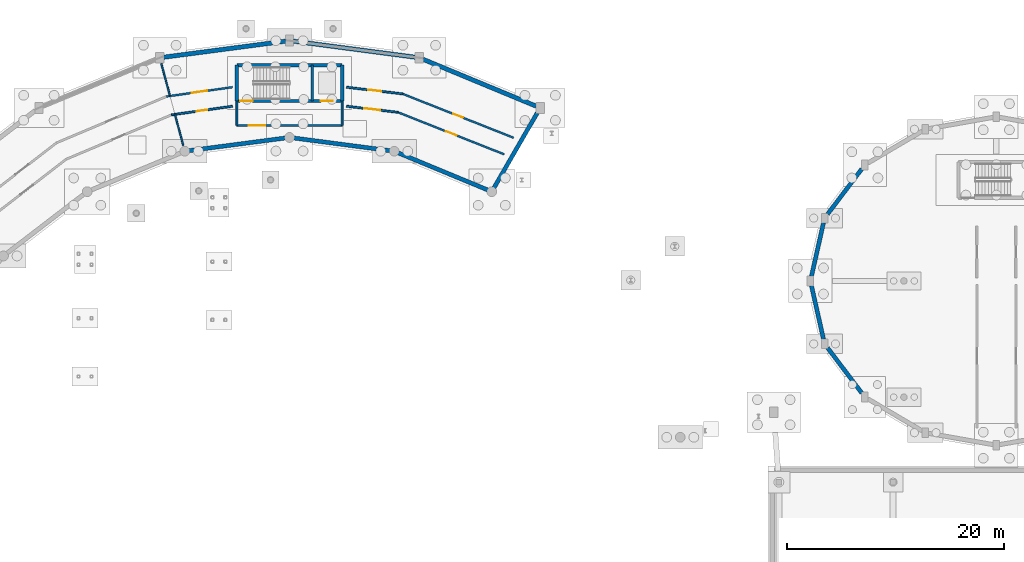
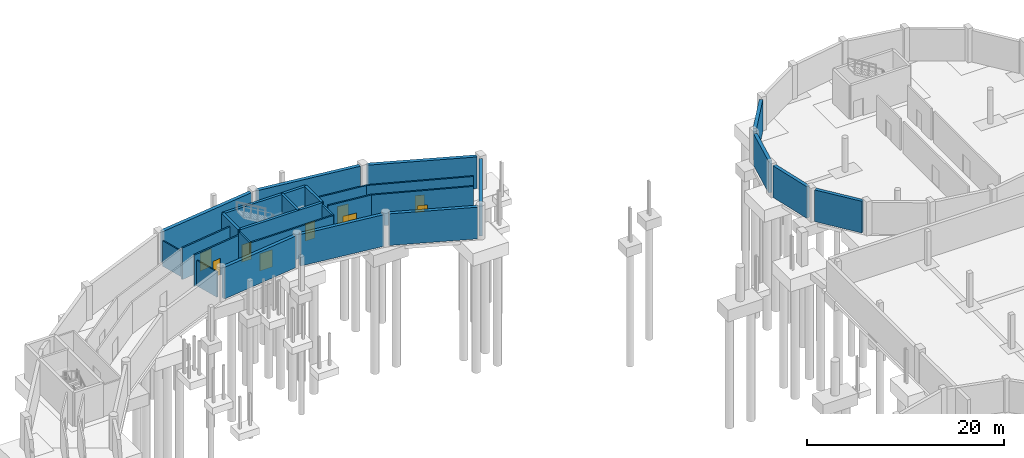
# One storey, part 34 of 43: 27 walls, 9 doors, 9 openings.
"""IFC4 building model written with IfcOpenShell, lengths in metres."""

from ifc_helpers import new_model, si_unit, direction, frame, frame_2d, origin, place, context, subcontext, project, spatial, rectangle, extrude, material, layer, layer_set, type_object, element, fill, save


model = new_model("IFC4")

# Units and contexts
model_context = context("Model", 3, precision=1e-05, world=origin(), true_north=direction((0.0, 1.0)))
body_context = subcontext(model_context, "Body", "Model", "MODEL_VIEW")
ifc_project = project(units=[si_unit("LENGTHUNIT", "METRE"), si_unit("AREAUNIT", "SQUARE_METRE"), si_unit("VOLUMEUNIT", "CUBIC_METRE"), si_unit("PLANEANGLEUNIT", "RADIAN"), si_unit("MASSUNIT", "GRAM", prefix="KILO")], contexts=[model_context])

# Site, building, storey
site_placement = place(None, origin())
site = spatial("IfcSite", under=ifc_project, at=site_placement, CompositionType="ELEMENT")
building_placement = place(site_placement, origin())
building = spatial("IfcBuilding", under=site, at=building_placement, Name="Vespera Passage Community Centre", CompositionType="ELEMENT")
storey_placement = place(building_placement, frame((0.0, 0.0, -4.199951171875)))
storey = spatial("IfcBuildingStorey", under=building, at=storey_placement, Name="B1", CompositionType="ELEMENT", Elevation=-4.199951171875)

# Wall, openings, doors
ifc_material_1 = material(Name="Concrete f'c 45 MPa", Category="concrete")
ifc_layer_1 = layer(ifc_material_1, 0.300048828125)
ifc_layer_set_1 = layer_set([ifc_layer_1], Name="Concrete f'c 45 MPa")
wall_type_1 = type_object("IfcWallType", Name="WT-CORE-300I", PredefinedType="SHEAR", material=ifc_layer_set_1)
wall_1_placement = place(storey_placement, frame((82.844970703125, 106.050048828125, 0.0), z_axis=(0.0, 0.0, 1.0), x_axis=(-1.0, 0.0, 0.0)))
wall_1 = element("IfcWall", 1, at=wall_1_placement, inside=storey, type_object=wall_type_1, Name="Core C4 B1 Shear Wall FRONT", PredefinedType="SHEAR", context=body_context, shape_type="SweptSolid", body=[
    extrude(rectangle(XDim=9.68994140625, YDim=0.300048828125, at=frame_2d((4.844970703125, 0.0))), origin(), (0.0, 0.0, 1.0), 4.199951171875),
])
opening_1_placement = place(wall_1_placement, frame((8.2451171875, 0.0, 0.0)))
opening_1 = element("IfcOpeningElement", 2, at=opening_1_placement, cuts=wall_1, Name="Opening DT-STAIR-90", PredefinedType="OPENING", context=body_context, shape_type="SweptSolid", body=[
    extrude(rectangle(XDim=1.14990234375, YDim=2.14990234375, at=frame_2d((0.574951171875, 1.074951171875))), frame((0.0, 0.159912109375, 0.0), z_axis=(0.0, -1.0, 0.0), x_axis=(1.0, 0.0, 0.0)), (0.0, 0.0, 1.0), 0.320068359375),
])
opening_2_placement = place(wall_1_placement, frame((0.85009765625, 0.0, 0.0)))
opening_2 = element("IfcOpeningElement", 3, at=opening_2_placement, cuts=wall_1, Name="Opening DT-LIFT-110", PredefinedType="OPENING", context=body_context, shape_type="SweptSolid", body=[
    extrude(rectangle(XDim=1.10009765625, YDim=2.14990234375, at=frame_2d((0.550048828125, 1.074951171875))), frame((0.0, 0.159912109375, 0.0), z_axis=(0.0, -1.0, 0.0), x_axis=(1.0, 0.0, 0.0)), (0.0, 0.0, 1.0), 0.320068359375),
])
ifc_material_2 = material(Name="Painted hollow-metal acoustic door", Category="steel")
door_type_1 = type_object("IfcDoorType", Name="DT-LIFT-110", OperationType="NOTDEFINED", PredefinedType="DOOR", material=ifc_material_2)
door_1_placement = place(opening_2_placement, origin())
door_1 = element("IfcDoor", 4, at=door_1_placement, inside=storey, type_object=door_type_1, Name="Elevator EL-02 B1 Landing Door LD-016", OperationType="SLIDING_TO_LEFT", OverallHeight=2.14990234375, OverallWidth=1.10009765625, PredefinedType="DOOR", context=body_context, shape_type="SweptSolid", body=[
    extrude(rectangle(XDim=1.10009765625, YDim=2.14990234375, at=frame_2d((0.550048828125, 1.074951171875))), frame((0.0, 0.02490234375, 0.0), z_axis=(0.0, -1.0, 0.0), x_axis=(1.0, 0.0, 0.0)), (0.0, 0.0, 1.0), 0.050048828125),
])
fill(opening_2, door_1)
ifc_material_3 = material(Name="Painted hollow-metal acoustic door", Category="steel")
door_type_2 = type_object("IfcDoorType", Name="DT-STAIR-90", OperationType="NOTDEFINED", PredefinedType="DOOR", material=ifc_material_3)
door_2_placement = place(opening_1_placement, origin())
door_2 = element("IfcDoor", 5, at=door_2_placement, inside=storey, type_object=door_type_2, Name="Core C4 B1 Exit Stair Door D-086", OperationType="SINGLE_SWING_RIGHT", OverallHeight=2.14990234375, OverallWidth=1.14990234375, PredefinedType="DOOR", context=body_context, shape_type="SweptSolid", body=[
    extrude(rectangle(XDim=1.14990234375, YDim=2.14990234375, at=frame_2d((0.574951171875, 1.074951171875))), frame((0.0, 0.02490234375, 0.0), z_axis=(0.0, -1.0, 0.0), x_axis=(1.0, 0.0, 0.0)), (0.0, 0.0, 1.0), 0.050048828125),
])
fill(opening_1, door_2)

# Walls
wall_2_placement = place(storey_placement, frame((73.155029296875, 106.050048828125, 0.0), z_axis=(0.0, 0.0, 1.0), x_axis=(0.0, 1.0, 0.0)))
element("IfcWall", 6, at=wall_2_placement, inside=storey, type_object=wall_type_1, Name="Core C4 B1 Shear Wall LEFT", PredefinedType="SHEAR", context=body_context, shape_type="SweptSolid", body=[
    extrude(rectangle(XDim=3.300048828125, YDim=0.300048828125, at=frame_2d((1.64990234375, 0.0))), origin(), (0.0, 0.0, 1.0), 4.199951171875),
])
wall_3_placement = place(storey_placement, frame((73.155029296875, 109.35009765625, 0.0), z_axis=(0.0, 0.0, 1.0), x_axis=(1.0, 0.0, 0.0)))
element("IfcWall", 7, at=wall_3_placement, inside=storey, type_object=wall_type_1, Name="Core C4 B1 Shear Wall BACK", PredefinedType="SHEAR", context=body_context, shape_type="SweptSolid", body=[
    extrude(rectangle(XDim=9.68994140625, YDim=0.300048828125, at=frame_2d((4.844970703125, 0.0))), origin(), (0.0, 0.0, 1.0), 4.199951171875),
])
wall_4_placement = place(storey_placement, frame((82.844970703125, 109.35009765625, 0.0), z_axis=(0.0, 0.0, 1.0), x_axis=(0.0, -1.0, 0.0)))
element("IfcWall", 8, at=wall_4_placement, inside=storey, type_object=wall_type_1, Name="Core C4 B1 Shear Wall RIGHT", PredefinedType="SHEAR", context=body_context, shape_type="SweptSolid", body=[
    extrude(rectangle(XDim=3.300048828125, YDim=0.300048828125, at=frame_2d((1.64990234375, 0.0))), origin(), (0.0, 0.0, 1.0), 4.199951171875),
])

# Wall, opening, door
ifc_material_4 = material(Name="Gypsum board acoustic stud partition")
ifc_layer_2 = layer(ifc_material_4, 0.179931640625)
ifc_layer_set_2 = layer_set([ifc_layer_2], Name="Gypsum board acoustic stud partition")
wall_type_2 = type_object("IfcWallType", Name="WT-CORR-180I", PredefinedType="PARTITIONING", material=ifc_layer_set_2)
wall_5_placement = place(storey_placement, frame((73.155029296875, 103.800048828125, 0.0), z_axis=(0.0, 0.0, 1.0), x_axis=(1.0, 0.0, 0.0)))
wall_5 = element("IfcWall", 9, at=wall_5_placement, inside=storey, type_object=wall_type_2, Name="Core C4 B1 Lift Lobby Front Wall", PredefinedType="PARTITIONING", context=body_context, shape_type="SweptSolid", body=[
    extrude(rectangle(XDim=9.68994140625, YDim=0.179931640625, at=frame_2d((4.844970703125, 0.0))), origin(), (0.0, 0.0, 1.0), 3.9150390625),
])
opening_3_placement = place(wall_5_placement, frame((1.10009765625, 0.0, 0.0)))
opening_3 = element("IfcOpeningElement", 10, at=opening_3_placement, cuts=wall_5, Name="Opening DT-CORR-150", PredefinedType="OPENING", context=body_context, shape_type="SweptSolid", body=[
    extrude(rectangle(XDim=1.5, YDim=2.14990234375, at=frame_2d((0.75, 1.074951171875))), frame((0.0, 0.099853515625, 0.0), z_axis=(0.0, -1.0, 0.0), x_axis=(1.0, 0.0, 0.0)), (0.0, 0.0, 1.0), 0.199951171875),
])
ifc_material_5 = material(Name="Painted hollow-metal acoustic door", Category="steel")
door_type_3 = type_object("IfcDoorType", Name="DT-CORR-150", OperationType="NOTDEFINED", PredefinedType="DOOR", material=ifc_material_5)
door_3_placement = place(opening_3_placement, origin())
door_3 = element("IfcDoor", 11, at=door_3_placement, inside=storey, type_object=door_type_3, Name="Core C4 B1 Lift Lobby Door D-087", OperationType="SINGLE_SWING_LEFT", OverallHeight=2.14990234375, OverallWidth=1.5, PredefinedType="DOOR", context=body_context, shape_type="SweptSolid", body=[
    extrude(rectangle(XDim=1.5, YDim=2.14990234375, at=frame_2d((0.75, 1.074951171875))), frame((0.0, 0.02490234375, 0.0), z_axis=(0.0, -1.0, 0.0), x_axis=(1.0, 0.0, 0.0)), (0.0, 0.0, 1.0), 0.050048828125),
])
fill(opening_3, door_3)

# Walls
for number, where, z_axis, x_axis, name in (
    (12, (73.155029296875, 106.050048828125, 0.0), (0.0, 0.0, 1.0), (0.0, -1.0, 0.0), "Core C4 B1 Lift Lobby Side Wall L"),
    (13, (82.844970703125, 106.050048828125, 0.0), (0.0, 0.0, 1.0), (0.0, -1.0, 0.0), "Core C4 B1 Lift Lobby Side Wall R"),
):
    element("IfcWall", number, at=place(storey_placement, frame(where, z_axis=z_axis, x_axis=x_axis)), inside=storey, type_object=wall_type_2, Name=name, PredefinedType="PARTITIONING", context=body_context, shape_type="SweptSolid", body=[
        extrude(rectangle(XDim=2.25, YDim=0.179931640625, at=frame_2d((1.125, 0.0))), origin(), (0.0, 0.0, 1.0), 3.9150390625),
    ])

# Wall, opening, door
wall_6_placement = place(storey_placement, frame((98.6044921875, 102.67138671875, 0.0), z_axis=(0.0, 0.0, 1.0), x_axis=(-0.92984059227, 0.367962597238, 0.0)))
wall_6 = element("IfcWall", 14, at=wall_6_placement, inside=storey, type_object=wall_type_2, Name="B1 Interior Partition V4-B1-CO01.1", PredefinedType="PARTITIONING", context=body_context, shape_type="SweptSolid", body=[
    extrude(rectangle(XDim=10.9609375, YDim=0.179931640625, at=frame_2d((5.48046875, 0.0))), origin(), (0.0, 0.0, 1.0), 3.9150390625),
])
opening_4_placement = place(wall_6_placement, frame((5.005615234375, 0.0, 0.0)))
opening_4 = element("IfcOpeningElement", 15, at=opening_4_placement, cuts=wall_6, Name="Opening DT-CORR-95", PredefinedType="OPENING", context=body_context, shape_type="SweptSolid", body=[
    extrude(rectangle(XDim=0.949951171875, YDim=2.10009765625, at=frame_2d((0.47509765625, 1.050048828125))), frame((0.0, 0.099853515625, 0.0), z_axis=(0.0, -1.0, 0.0), x_axis=(1.0, 0.0, 0.0)), (0.0, 0.0, 1.0), 0.199951171875),
])
ifc_material_6 = material(Name="Painted hollow-metal acoustic door", Category="steel")
door_type_4 = type_object("IfcDoorType", Name="DT-CORR-95", OperationType="NOTDEFINED", PredefinedType="DOOR", material=ifc_material_6)
door_4_placement = place(opening_4_placement, origin())
door_4 = element("IfcDoor", 16, at=door_4_placement, inside=storey, type_object=door_type_4, Name="B1 Interior Door D-119", OperationType="SINGLE_SWING_LEFT", OverallHeight=2.10009765625, OverallWidth=0.949951171875, PredefinedType="DOOR", context=body_context, shape_type="SweptSolid", body=[
    extrude(rectangle(XDim=0.949951171875, YDim=2.10009765625, at=frame_2d((0.47509765625, 1.050048828125))), frame((0.0, 0.02490234375, 0.0), z_axis=(0.0, -1.0, 0.0), x_axis=(1.0, 0.0, 0.0)), (0.0, 0.0, 1.0), 0.050048828125),
])
fill(opening_4, door_4)

wall_7_placement = place(storey_placement, frame((97.756103515625, 101.140869140625, 0.0), z_axis=(0.0, 0.0, 1.0), x_axis=(-0.92984171937, 0.367959749046, 0.0)))
wall_7 = element("IfcWall", 17, at=wall_7_placement, inside=storey, type_object=wall_type_2, Name="B1 Interior Partition V4-B1-CI01.1", PredefinedType="PARTITIONING", context=body_context, shape_type="SweptSolid", body=[
    extrude(rectangle(XDim=10.509765625, YDim=0.179931640625, at=frame_2d((5.2548828125, 0.0))), origin(), (0.0, 0.0, 1.0), 3.9150390625),
])
opening_5_placement = place(wall_7_placement, frame((4.72998046875, 0.0, 0.0)))
opening_5 = element("IfcOpeningElement", 18, at=opening_5_placement, cuts=wall_7, Name="Opening DT-CORR-105", PredefinedType="OPENING", context=body_context, shape_type="SweptSolid", body=[
    extrude(rectangle(XDim=1.050048828125, YDim=2.10009765625, at=frame_2d((0.52490234375, 1.050048828125))), frame((0.0, 0.099853515625, 0.0), z_axis=(0.0, -1.0, 0.0), x_axis=(1.0, 0.0, 0.0)), (0.0, 0.0, 1.0), 0.199951171875),
])
ifc_material_7 = material(Name="Painted hollow-metal acoustic door", Category="steel")
door_type_5 = type_object("IfcDoorType", Name="DT-CORR-105", OperationType="NOTDEFINED", PredefinedType="DOOR", material=ifc_material_7)
door_5_placement = place(opening_5_placement, origin())
door_5 = element("IfcDoor", 19, at=door_5_placement, inside=storey, type_object=door_type_5, Name="B1 Interior Door D-120", OperationType="SINGLE_SWING_RIGHT", OverallHeight=2.10009765625, OverallWidth=1.050048828125, PredefinedType="DOOR", context=body_context, shape_type="SweptSolid", body=[
    extrude(rectangle(XDim=1.050048828125, YDim=2.10009765625, at=frame_2d((0.52490234375, 1.050048828125))), frame((0.0, 0.02490234375, 0.0), z_axis=(0.0, -1.0, 0.0), x_axis=(1.0, 0.0, 0.0)), (0.0, 0.0, 1.0), 0.050048828125),
])
fill(opening_5, door_5)

wall_8_placement = place(storey_placement, frame((88.41259765625, 106.70458984375, 0.0), z_axis=(0.0, 0.0, 1.0), x_axis=(-0.993019970185, 0.117946338706, 0.0)))
wall_8 = element("IfcWall", 20, at=wall_8_placement, inside=storey, type_object=wall_type_2, Name="B1 Interior Partition V4-B1-CO02.1", PredefinedType="PARTITIONING", context=body_context, shape_type="SweptSolid", body=[
    extrude(rectangle(XDim=5.203857421875, YDim=0.179931640625, at=frame_2d((2.60205078125, 0.0))), origin(), (0.0, 0.0, 1.0), 3.9150390625),
])
opening_6_placement = place(wall_8_placement, frame((2.001953125, 0.0, 0.0)))
opening_6 = element("IfcOpeningElement", 21, at=opening_6_placement, cuts=wall_8, Name="Opening DT-CORR-120", PredefinedType="OPENING", context=body_context, shape_type="SweptSolid", body=[
    extrude(rectangle(XDim=1.199951171875, YDim=2.14990234375, at=frame_2d((0.60009765625, 1.074951171875))), frame((0.0, 0.099853515625, 0.0), z_axis=(0.0, -1.0, 0.0), x_axis=(1.0, 0.0, 0.0)), (0.0, 0.0, 1.0), 0.199951171875),
])
ifc_material_8 = material(Name="Painted hollow-metal acoustic door", Category="steel")
door_type_6 = type_object("IfcDoorType", Name="DT-CORR-120", OperationType="NOTDEFINED", PredefinedType="DOOR", material=ifc_material_8)
door_6_placement = place(opening_6_placement, origin())
door_6 = element("IfcDoor", 22, at=door_6_placement, inside=storey, type_object=door_type_6, Name="B1 Interior Door D-121", OperationType="SINGLE_SWING_LEFT", OverallHeight=2.14990234375, OverallWidth=1.199951171875, PredefinedType="DOOR", context=body_context, shape_type="SweptSolid", body=[
    extrude(rectangle(XDim=1.199951171875, YDim=2.14990234375, at=frame_2d((0.60009765625, 1.074951171875))), frame((0.0, 0.02490234375, 0.0), z_axis=(0.0, -1.0, 0.0), x_axis=(1.0, 0.0, 0.0)), (0.0, 0.0, 1.0), 0.050048828125),
])
fill(opening_6, door_6)

wall_9_placement = place(storey_placement, frame((87.983642578125, 105.008056640625, 0.0), z_axis=(0.0, 0.0, 1.0), x_axis=(-0.993021837472, 0.117930616486, 0.0)))
wall_9 = element("IfcWall", 23, at=wall_9_placement, inside=storey, type_object=wall_type_2, Name="B1 Interior Partition V4-B1-CI02.1", PredefinedType="PARTITIONING", context=body_context, shape_type="SweptSolid", body=[
    extrude(rectangle(XDim=4.771728515625, YDim=0.179931640625, at=frame_2d((2.3857421875, 0.0))), origin(), (0.0, 0.0, 1.0), 3.9150390625),
])
opening_7_placement = place(wall_9_placement, frame((1.635986328125, 0.0, 0.0)))
opening_7 = element("IfcOpeningElement", 24, at=opening_7_placement, cuts=wall_9, Name="Opening DT-CORR-150", PredefinedType="OPENING", context=body_context, shape_type="SweptSolid", body=[
    extrude(rectangle(XDim=1.5, YDim=2.14990234375, at=frame_2d((0.75, 1.074951171875))), frame((0.0, 0.099853515625, 0.0), z_axis=(0.0, -1.0, 0.0), x_axis=(1.0, 0.0, 0.0)), (0.0, 0.0, 1.0), 0.199951171875),
])
door_7_placement = place(opening_7_placement, origin())
door_7 = element("IfcDoor", 25, at=door_7_placement, inside=storey, type_object=door_type_3, Name="B1 Interior Door D-122", OperationType="SINGLE_SWING_RIGHT", OverallHeight=2.14990234375, OverallWidth=1.5, PredefinedType="DOOR", context=body_context, shape_type="SweptSolid", body=[
    extrude(rectangle(XDim=1.5, YDim=2.14990234375, at=frame_2d((0.75, 1.074951171875))), frame((0.0, 0.02490234375, 0.0), z_axis=(0.0, -1.0, 0.0), x_axis=(1.0, 0.0, 0.0)), (0.0, 0.0, 1.0), 0.050048828125),
])
fill(opening_7, door_7)

wall_10_placement = place(storey_placement, frame((72.7548828125, 107.32275390625, 0.0), z_axis=(0.0, 0.0, 1.0), x_axis=(-0.990158330555, -0.139951707499, 0.0)))
wall_10 = element("IfcWall", 26, at=wall_10_placement, inside=storey, type_object=wall_type_2, Name="B1 Interior Partition V4-B1-CO03.1", PredefinedType="PARTITIONING", context=body_context, shape_type="SweptSolid", body=[
    extrude(rectangle(XDim=6.140625, YDim=0.179931640625, at=frame_2d((3.0703125, 0.0))), origin(), (0.0, 0.0, 1.0), 3.9150390625),
])
opening_8_placement = place(wall_10_placement, frame((2.34521484375, 0.0, 0.0)))
opening_8 = element("IfcOpeningElement", 27, at=opening_8_placement, cuts=wall_10, Name="Opening DT-PLANT-145", PredefinedType="OPENING", context=body_context, shape_type="SweptSolid", body=[
    extrude(rectangle(XDim=1.449951171875, YDim=2.199951171875, at=frame_2d((0.72509765625, 1.10009765625))), frame((0.0, 0.099853515625, 0.0), z_axis=(0.0, -1.0, 0.0), x_axis=(1.0, 0.0, 0.0)), (0.0, 0.0, 1.0), 0.199951171875),
])
ifc_material_9 = material(Name="Painted hollow-metal acoustic door", Category="steel")
door_type_7 = type_object("IfcDoorType", Name="DT-PLANT-145", OperationType="NOTDEFINED", PredefinedType="DOOR", material=ifc_material_9)
door_8_placement = place(opening_8_placement, origin())
door_8 = element("IfcDoor", 28, at=door_8_placement, inside=storey, type_object=door_type_7, Name="B1 Interior Door D-123", OperationType="SINGLE_SWING_LEFT", OverallHeight=2.199951171875, OverallWidth=1.449951171875, PredefinedType="DOOR", context=body_context, shape_type="SweptSolid", body=[
    extrude(rectangle(XDim=1.449951171875, YDim=2.199951171875, at=frame_2d((0.72509765625, 1.10009765625))), frame((0.0, 0.02490234375, 0.0), z_axis=(0.0, -1.0, 0.0), x_axis=(1.0, 0.0, 0.0)), (0.0, 0.0, 1.0), 0.050048828125),
])
fill(opening_8, door_8)

wall_11_placement = place(storey_placement, frame((72.7548828125, 105.570068359375, 0.0), z_axis=(0.0, 0.0, 1.0), x_axis=(-0.990158541411, -0.13995021569, 0.0)))
wall_11 = element("IfcWall", 29, at=wall_11_placement, inside=storey, type_object=wall_type_2, Name="B1 Interior Partition V4-B1-CI03.1", PredefinedType="PARTITIONING", context=body_context, shape_type="SweptSolid", body=[
    extrude(rectangle(XDim=5.669677734375, YDim=0.179931640625, at=frame_2d((2.8349609375, 0.0))), origin(), (0.0, 0.0, 1.0), 3.9150390625),
])
opening_9_placement = place(wall_11_placement, frame((2.35986328125, 0.0, 0.0)))
opening_9 = element("IfcOpeningElement", 30, at=opening_9_placement, cuts=wall_11, Name="Opening DT-CORR-95", PredefinedType="OPENING", context=body_context, shape_type="SweptSolid", body=[
    extrude(rectangle(XDim=0.949951171875, YDim=2.10009765625, at=frame_2d((0.47509765625, 1.050048828125))), frame((0.0, 0.099853515625, 0.0), z_axis=(0.0, -1.0, 0.0), x_axis=(1.0, 0.0, 0.0)), (0.0, 0.0, 1.0), 0.199951171875),
])
door_9_placement = place(opening_9_placement, origin())
door_9 = element("IfcDoor", 31, at=door_9_placement, inside=storey, type_object=door_type_4, Name="B1 Interior Door D-124", OperationType="SINGLE_SWING_RIGHT", OverallHeight=2.10009765625, OverallWidth=0.949951171875, PredefinedType="DOOR", context=body_context, shape_type="SweptSolid", body=[
    extrude(rectangle(XDim=0.949951171875, YDim=2.10009765625, at=frame_2d((0.47509765625, 1.050048828125))), frame((0.0, 0.02490234375, 0.0), z_axis=(0.0, -1.0, 0.0), x_axis=(1.0, 0.0, 0.0)), (0.0, 0.0, 1.0), 0.050048828125),
])
fill(opening_9, door_9)

# Walls
ifc_material_10 = material(Name="Concrete f'c 45 MPa", Category="concrete")
ifc_layer_3 = layer(ifc_material_10, 0.239990234375)
ifc_layer_set_3 = layer_set([ifc_layer_3], Name="Concrete f'c 45 MPa")
wall_type_3 = type_object("IfcWallType", Name="WT-DIV-240I", PredefinedType="SHEAR", material=ifc_layer_set_3)
wall_12_placement = place(storey_placement, frame((80.074951171875, 106.050048828125, 0.0), z_axis=(0.0, 0.0, 1.0), x_axis=(0.0, 1.0, 0.0)))
element("IfcWall", 32, at=wall_12_placement, inside=storey, type_object=wall_type_3, Name="Core C4 B1 Hoistway Divider Wall", PredefinedType="SHEAR", context=body_context, shape_type="SweptSolid", body=[
    extrude(rectangle(XDim=3.300048828125, YDim=0.239990234375, at=frame_2d((1.64990234375, 0.0))), origin(), (0.0, 0.0, 1.0), 4.199951171875),
])
ifc_material_11 = material(Name="Concrete f'c 45 MPa", Category="concrete")
ifc_layer_4 = layer(ifc_material_11, 0.3798828125)
ifc_layer_set_4 = layer_set([ifc_layer_4], Name="Concrete f'c 45 MPa")
wall_type_4 = type_object("IfcWallType", Name="WT-RET-380E", PredefinedType="SHEAR", material=ifc_layer_set_4)
wall_13_placement = place(storey_placement, frame((96.322998046875, 97.830810546875, 0.0), z_axis=(0.0, 0.0, 1.0), x_axis=(-0.923880324771, 0.382681519675, 0.0)))
element("IfcWall", 33, at=wall_13_placement, inside=storey, type_object=wall_type_4, Name="V4 B1 Inner Retaining Wall 4", PredefinedType="SHEAR", context=body_context, shape_type="SweptSolid", body=[
    extrude(rectangle(XDim=9.111572265625, YDim=0.3798828125, at=frame_2d((4.5556640625, 0.0))), origin(), (0.0, 0.0, 1.0), 3.919921875),
])
for number, where, z_axis, x_axis, name in (
    (34, (87.352783203125, 101.468505859375, 0.0), (0.0, 0.0, 1.0), (-0.991441766434, 0.130549698469, 0.0), "V4 B1 Inner Retaining Wall 5"),
    (35, (77.724853515625, 102.663818359375, 0.0), (0.0, 0.0, 1.0), (-0.991441766434, -0.130549698469, 0.0), "V4 B1 Inner Retaining Wall 6"),
):
    element("IfcWall", number, at=place(storey_placement, frame(where, z_axis=z_axis, x_axis=x_axis)), inside=storey, type_object=wall_type_4, Name=name, PredefinedType="SHEAR", context=body_context, shape_type="SweptSolid", body=[
        extrude(rectangle(XDim=9.156005859375, YDim=0.3798828125, at=frame_2d((4.578125, 0.0))), origin(), (0.0, 0.0, 1.0), 3.919921875),
    ])
wall_14_placement = place(storey_placement, frame((100.773681640625, 104.945556640625, 0.0), z_axis=(0.0, 0.0, 1.0), x_axis=(-0.499969958057, -0.866042747813, 0.0)))
element("IfcWall", 36, at=wall_14_placement, inside=storey, type_object=wall_type_4, Name="V4 B1 Radial End Facade Wall START", PredefinedType="SHEAR", context=body_context, shape_type="SweptSolid", body=[
    extrude(rectangle(XDim=8.0263671875, YDim=0.3798828125, at=frame_2d((4.01318359375, 0.0))), origin(), (0.0, 0.0, 1.0), 3.919921875),
])
wall_15_placement = place(storey_placement, frame((127.486572265625, 95.655029296875, 0.0), z_axis=(0.0, 0.0, 1.0), x_axis=(0.603398282319, 0.797439974477, 0.0)))
element("IfcWall", 37, at=wall_15_placement, inside=storey, type_object=wall_type_4, Name="V2 B1 Retaining Wall 7", PredefinedType="SHEAR", context=body_context, shape_type="SweptSolid", body=[
    extrude(rectangle(XDim=5.19873046875, YDim=0.3798828125, at=frame_2d((2.599365234375, 0.0))), origin(), (0.0, 0.0, 1.0), 3.919921875),
])
for number, where, z_axis, x_axis, name in (
    (38, (125.995849609375, 89.925537109375, 0.0), (0.0, 0.0, 1.0), (0.219744533343, 0.97555745093, 0.0), "V2 B1 Retaining Wall 8"),
    (39, (127.105712890625, 84.147216796875, 0.0), (0.0, 0.0, 1.0), (-0.219744533343, 0.97555745093, 0.0), "V2 B1 Retaining Wall 9"),
):
    element("IfcWall", number, at=place(storey_placement, frame(where, z_axis=z_axis, x_axis=x_axis)), inside=storey, type_object=wall_type_4, Name=name, PredefinedType="SHEAR", context=body_context, shape_type="SweptSolid", body=[
        extrude(rectangle(XDim=5.05078125, YDim=0.3798828125, at=frame_2d((2.525390625, 0.0))), origin(), (0.0, 0.0, 1.0), 3.919921875),
    ])
wall_16_placement = place(storey_placement, frame((130.62353515625, 79.19921875, 0.0), z_axis=(0.0, 0.0, 1.0), x_axis=(-0.603398282319, 0.797439974477, 0.0)))
element("IfcWall", 40, at=wall_16_placement, inside=storey, type_object=wall_type_4, Name="V2 B1 Retaining Wall 10", PredefinedType="SHEAR", context=body_context, shape_type="SweptSolid", body=[
    extrude(rectangle(XDim=5.19873046875, YDim=0.3798828125, at=frame_2d((2.599365234375, 0.0))), origin(), (0.0, 0.0, 1.0), 3.919921875),
])
ifc_material_12 = material(Name="Concrete f'c 45 MPa", Category="concrete")
ifc_layer_5 = layer(ifc_material_12, 0.39990234375)
ifc_layer_set_5 = layer_set([ifc_layer_5], Name="Concrete f'c 45 MPa")
wall_type_5 = type_object("IfcWallType", Name="WT-RET-400E", PredefinedType="SHEAR", material=ifc_layer_set_5)
wall_17_placement = place(storey_placement, frame((90.283447265625, 109.88330078125, 0.0), z_axis=(0.0, 0.0, 1.0), x_axis=(0.923883530636, -0.382673779896, 0.0)))
element("IfcWall", 41, at=wall_17_placement, inside=storey, type_object=wall_type_5, Name="V4 B1 Outer Retaining Wall 4", PredefinedType="SHEAR", context=body_context, shape_type="SweptSolid", body=[
    extrude(rectangle(XDim=11.2724609375, YDim=0.39990234375, at=frame_2d((5.63623046875, 0.0))), origin(), (0.0, 0.0, 1.0), 3.919921875),
])
for number, where, z_axis, x_axis, name in (
    (42, (78.35009765625, 111.553955078125, 0.0), (0.0, 0.0, 1.0), (0.991443215359, -0.130538694334, 0.0), "V4 B1 Outer Retaining Wall 5"),
    (43, (66.418701171875, 110.0751953125, 0.0), (0.0, 0.0, 1.0), (0.991443215359, 0.130538694334, 0.0), "V4 B1 Outer Retaining Wall 6"),
):
    element("IfcWall", number, at=place(storey_placement, frame(where, z_axis=z_axis, x_axis=x_axis)), inside=storey, type_object=wall_type_5, Name=name, PredefinedType="SHEAR", context=body_context, shape_type="SweptSolid", body=[
        extrude(rectangle(XDim=11.328125, YDim=0.39990234375, at=frame_2d((5.6640625, 0.0))), origin(), (0.0, 0.0, 1.0), 3.919921875),
    ])
ifc_material_13 = material(Name="Gypsum board acoustic stud partition")
ifc_layer_6 = layer(ifc_material_13, 0.139892578125)
ifc_layer_set_6 = layer_set([ifc_layer_6], Name="Gypsum board acoustic stud partition")
wall_type_6 = type_object("IfcWallType", Name="WT-ROOM-140I", PredefinedType="PARTITIONING", material=ifc_layer_set_6)
wall_18_placement = place(storey_placement, frame((67.000244140625, 106.5517578125, 0.0), z_axis=(0.0, 0.0, 1.0), x_axis=(-0.258868119081, 0.96591267562, 0.0)))
element("IfcWall", 44, at=wall_18_placement, inside=storey, type_object=wall_type_6, Name="B1 Interior Partition V4-B1-RO11-1.1", PredefinedType="PARTITIONING", context=body_context, shape_type="SweptSolid", body=[
    extrude(rectangle(XDim=3.050048828125, YDim=0.139892578125, at=frame_2d((1.52490234375, 0.0))), origin(), (0.0, 0.0, 1.0), 3.155029296875),
])
wall_19_placement = place(storey_placement, frame((68.2294921875, 101.963623046875, 0.0), z_axis=(0.0, 0.0, 1.0), x_axis=(-0.258776761059, 0.965937155273, 0.0)))
element("IfcWall", 45, at=wall_19_placement, inside=storey, type_object=wall_type_6, Name="B1 Interior Partition V4-B1-RI11-1.1", PredefinedType="PARTITIONING", context=body_context, shape_type="SweptSolid", body=[
    extrude(rectangle(XDim=3.000244140625, YDim=0.139892578125, at=frame_2d((1.5, 0.0))), origin(), (0.0, 0.0, 1.0), 3.155029296875),
])

save(model, "model.ifc")
